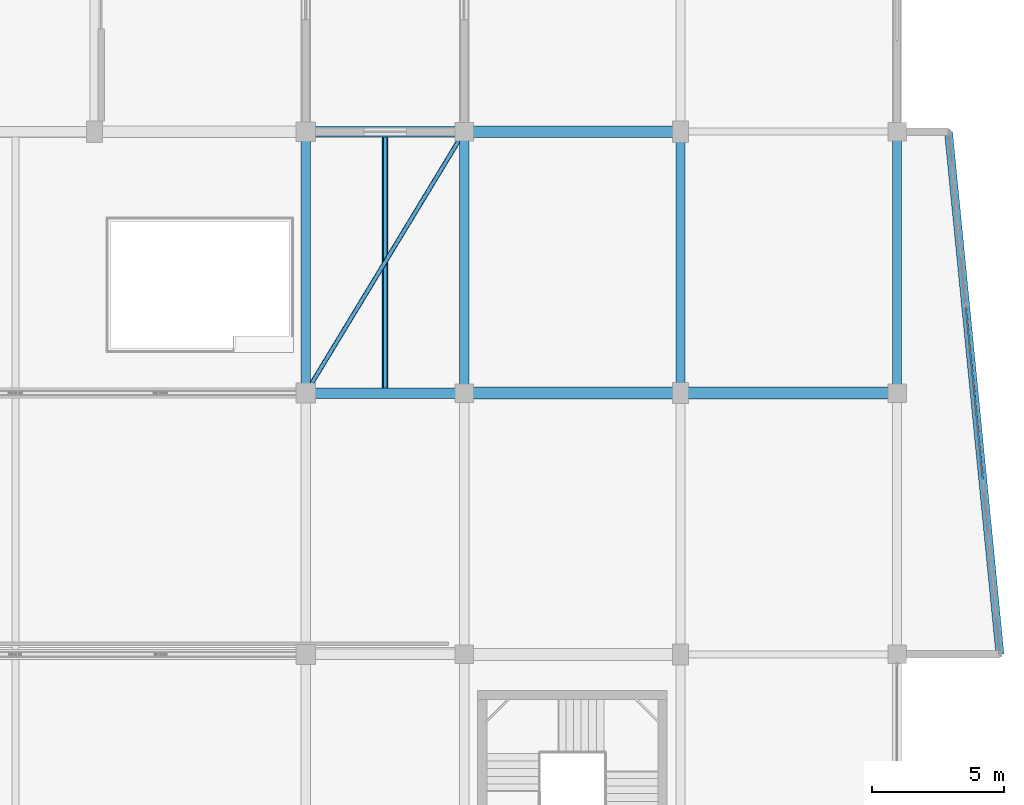
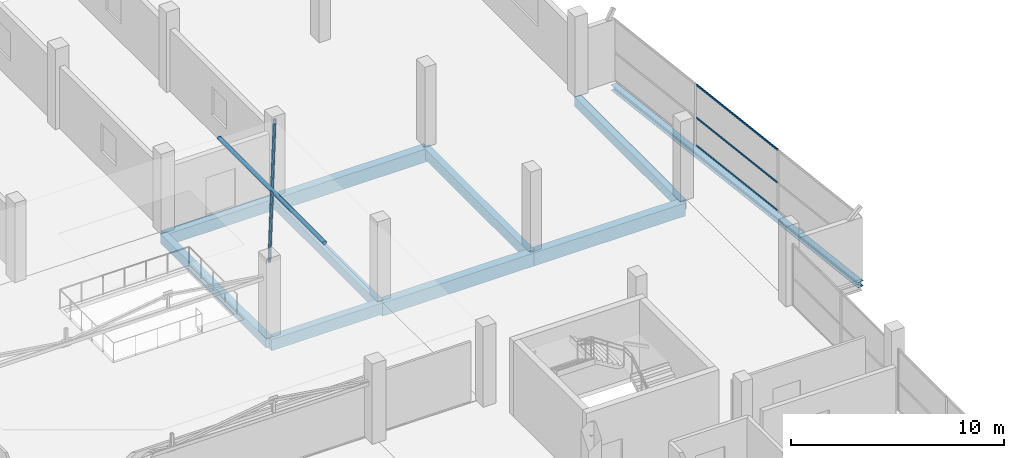
# One storey, part 28 of 55: 10 beams, 5 members, 1 element without a shape of its own.
"""IFC4 building model written with IfcOpenShell, lengths in metres."""

import ifcopenshell
import ifcopenshell.guid

model = None  # the IFC model being written
_history = None  # IfcOwnerHistory: only IFC2X3 demands one
_inside = {}  # id of a spatial element -> (the spatial element, [elements in it])
_under = {}  # id of a project, library or spatial element -> (it, [spatial elements below it])
_declared = {}  # id of a project -> (the project, [libraries it declares])
_typed = {}  # id of a type object -> (the type object, [elements of that type])
_made_of = {}  # id of a material, layer set ... -> (it, [elements and type objects made of it])


def new_model(schema):
    """Start an empty IFC model of exactly this schema.

    Asked for "IFC4X3", IfcOpenShell would pick the latest addendum, in which some entities
    have other attributes; the version numbers below select the first issue.
    IFC2X3 requires an IfcOwnerHistory on every rooted entity: one is made here for all.
    """
    global model, _history
    if schema == "IFC4X3":
        model = ifcopenshell.file(schema_version=(4, 3, 0, 0))
    else:
        model = ifcopenshell.file(schema=schema)
    _inside.clear()
    _under.clear()
    _declared.clear()
    _typed.clear()
    _made_of.clear()
    _history = None
    if model.schema == "IFC2X3":
        org = make("IfcOrganization", Name="unknown")
        user = make(
            "IfcPersonAndOrganization",
            ThePerson=make("IfcPerson", FamilyName="unknown"),
            TheOrganization=org,
        )
        app = make(
            "IfcApplication",
            ApplicationDeveloper=org,
            Version="unknown",
            ApplicationFullName="unknown",
            ApplicationIdentifier="unknown",
        )
        _history = make(
            "IfcOwnerHistory",
            OwningUser=user,
            OwningApplication=app,
            ChangeAction="ADDED",
            CreationDate=0,
        )
    return model


def make(cls, **values):
    """One entity of the class cls with the attributes given. An attribute that is None is left unset."""
    return model.create_entity(
        cls, **{name: value for name, value in values.items() if value is not None}
    )


def rooted(cls, **values):
    """An entity with a GlobalId (a new one), such as an element, a storey or a relation."""
    return make(cls, GlobalId=ifcopenshell.guid.new(), OwnerHistory=_history, **values)


def si_unit(unit_type, name, prefix=None):
    """IfcSIUnit, for example si_unit("LENGTHUNIT", "METRE", prefix="MILLI")."""
    return make("IfcSIUnit", UnitType=unit_type, Prefix=prefix, Name=name)


def assignment(units):
    """IfcUnitAssignment: the units of a project."""
    return None if units is None else make("IfcUnitAssignment", Units=units)


def point(xyz):
    """IfcCartesianPoint."""
    return None if xyz is None else make("IfcCartesianPoint", Coordinates=xyz)


def direction(xyz):
    """IfcDirection."""
    return None if xyz is None else make("IfcDirection", DirectionRatios=xyz)


def frame(location, z_axis=None, x_axis=None):
    """IfcAxis2Placement3D, a coordinate frame: its origin and axes. An axis left out is left unset."""
    return make(
        "IfcAxis2Placement3D",
        Location=point(location),
        Axis=direction(z_axis),
        RefDirection=direction(x_axis),
    )


def frame_2d(location, x_axis=None):
    """IfcAxis2Placement2D, a coordinate frame in the plane: its origin and x axis."""
    return make(
        "IfcAxis2Placement2D", Location=point(location), RefDirection=direction(x_axis)
    )


def origin():
    """The frame at (0, 0, 0) with its axes left unset."""
    return frame((0.0, 0.0, 0.0))


def origin_2d():
    """The frame at (0, 0) in the plane with its x axis left unset."""
    return frame_2d((0.0, 0.0))


def place(relative_to, where):
    """IfcLocalPlacement: puts the frame where relative to a parent placement (None: the world)."""
    return make(
        "IfcLocalPlacement", PlacementRelTo=relative_to, RelativePlacement=where
    )


def context(
    kind, dimensions, precision=None, world=None, true_north=None, identifier=None
):
    """IfcGeometricRepresentationContext, for example the 3D "Model" context."""
    return make(
        "IfcGeometricRepresentationContext",
        ContextIdentifier=identifier,
        ContextType=kind,
        CoordinateSpaceDimension=dimensions,
        Precision=precision,
        WorldCoordinateSystem=world,
        TrueNorth=true_north,
    )


def subcontext(parent, identifier, kind, view, scale=None):
    """IfcGeometricRepresentationSubContext, for example "Body" below "Model"."""
    return make(
        "IfcGeometricRepresentationSubContext",
        ContextIdentifier=identifier,
        ContextType=kind,
        ParentContext=parent,
        TargetScale=scale,
        TargetView=view,
    )


def project(units=None, contexts=None):
    """IfcProject with its units and contexts."""
    return rooted(
        "IfcProject",
        Name="project",
        RepresentationContexts=contexts,
        UnitsInContext=assignment(units),
    )


def spatial(cls, under=None, at=None, **own):
    """A site, building, storey or space (cls), placed at a placement, below another one or the project."""
    s = rooted(cls, ObjectPlacement=at, **own)
    if under is not None:
        _under.setdefault(under.id(), (under, []))[1].append(s)
    return s


def profile(cls, at=None, kind="AREA", **sizes):
    """A parametric profile (cls). Its sizes go by their IFC names, for example OverallWidth=200.0."""
    return make(cls, ProfileType=kind, Position=at, **sizes)


def rectangle(**sizes):
    """IfcRectangleProfileDef."""
    return profile("IfcRectangleProfileDef", **sizes)


def hollow_rectangle(**sizes):
    """IfcRectangleHollowProfileDef."""
    return profile("IfcRectangleHollowProfileDef", **sizes)


def hollow_circle(**sizes):
    """IfcCircleHollowProfileDef."""
    return profile("IfcCircleHollowProfileDef", **sizes)


def i_section(**sizes):
    """IfcIShapeProfileDef."""
    return profile("IfcIShapeProfileDef", **sizes)


def extrude(swept, where, along, depth):
    """IfcExtrudedAreaSolid: the profile swept, set in the frame where, extruded along a direction by depth."""
    return make(
        "IfcExtrudedAreaSolid",
        SweptArea=swept,
        Position=where,
        ExtrudedDirection=direction(along),
        Depth=depth,
    )


def shape(context_of_items, identifier, shape_type, items):
    """IfcShapeRepresentation: the items that make up one representation, for example the "Body"."""
    return make(
        "IfcShapeRepresentation",
        ContextOfItems=context_of_items,
        RepresentationIdentifier=identifier,
        RepresentationType=shape_type,
        Items=items,
    )


def material(Name=None, Category=None):
    """IfcMaterial."""
    return make("IfcMaterial", Name=Name, Category=Category)


def layer(
    of_material, thickness, ventilated=None, Name=None, Category=None, Priority=None
):
    """IfcMaterialLayer: one layer of a wall or slab, of a material (None: an air gap)."""
    return make(
        "IfcMaterialLayer",
        Material=of_material,
        LayerThickness=thickness,
        IsVentilated=ventilated,
        Name=Name,
        Category=Category,
        Priority=Priority,
    )


def layer_set(layers, Name=None):
    """IfcMaterialLayerSet."""
    return make("IfcMaterialLayerSet", MaterialLayers=layers, LayerSetName=Name)


def material_profile(
    of_material, cross_section, Name=None, Category=None, Priority=None
):
    """IfcMaterialProfile: a cross section and its material."""
    return make(
        "IfcMaterialProfile",
        Name=Name,
        Material=of_material,
        Profile=cross_section,
        Priority=Priority,
        Category=Category,
    )


def profile_set(profiles, Name=None, composite=None):
    """IfcMaterialProfileSet."""
    return make(
        "IfcMaterialProfileSet",
        Name=Name,
        MaterialProfiles=profiles,
        CompositeProfile=composite,
    )


def made_of(thing, what):
    """Note that an element or type object is made of a material, layer set ...; save() writes the relation."""
    if what is not None:
        _made_of.setdefault(what.id(), (what, []))[1].append(thing)
    return thing


def type_object(cls, material=None, **own):
    """A type object (cls), such as IfcWallType, which elements share."""
    return made_of(rooted(cls, **own), material)


def element(
    cls,
    number,
    at=None,
    inside=None,
    cuts=None,
    type_object=None,
    material=None,
    context=None,
    identifier="Body",
    shape_type=None,
    held_by="IfcProductDefinitionShape",
    body=None,
    shapes=None,
    **own,
):
    """One element of the class cls, such as IfcWall. Its Tag is "e" and its number.

    at: its placement. inside: the storey or other place that contains it. cuts: it is an
    opening in that element (IfcRelVoidsElement). A single representation is given by context,
    identifier, shape_type and body (its items); several are given by shapes. held_by: the class
    of the entity that holds the representations. save() writes the other relations.
    """
    e = rooted(cls, Tag="e%d" % number, ObjectPlacement=at, **own)
    if body is not None:
        shapes = [shape(context, identifier, shape_type, body)]
    if shapes is not None:
        e.Representation = make(held_by, Representations=shapes)
    if inside is not None:
        _inside.setdefault(inside.id(), (inside, []))[1].append(e)
    if cuts is not None:
        rooted(
            "IfcRelVoidsElement", RelatingBuildingElement=cuts, RelatedOpeningElement=e
        )
    if type_object is not None:
        _typed.setdefault(type_object.id(), (type_object, []))[1].append(e)
    return made_of(e, material)


def aggregate(whole, parts):
    """IfcRelAggregates: a whole, such as a stair, and the parts it consists of."""
    return rooted("IfcRelAggregates", RelatingObject=whole, RelatedObjects=parts)


def save(model, path):
    """Write the relations noted so far, then the file.

    IfcRelAggregates (storeys below a building ...), IfcRelContainedInSpatialStructure (elements
    in a storey), IfcRelDefinesByType, IfcRelAssociatesMaterial and IfcRelDeclares: one each for
    every whole, place, type object, material and project.
    """
    for whole, parts in _under.values():
        aggregate(whole, parts)
    for where, things in _inside.values():
        rooted(
            "IfcRelContainedInSpatialStructure",
            RelatedElements=things,
            RelatingStructure=where,
        )
    for kind, things in _typed.values():
        rooted("IfcRelDefinesByType", RelatedObjects=things, RelatingType=kind)
    for what, things in _made_of.values():
        rooted("IfcRelAssociatesMaterial", RelatedObjects=things, RelatingMaterial=what)
    for by, libraries in _declared.values():
        rooted("IfcRelDeclares", RelatingContext=by, RelatedDefinitions=libraries)
    model.write(path)


model = new_model("IFC4")

# Units and contexts
model_context = context("Model", 3, precision=1e-05, world=origin(), true_north=direction((0.0, 1.0)))
body_context = subcontext(model_context, "Body", "Model", "MODEL_VIEW")
ifc_project = project(units=[si_unit("LENGTHUNIT", "METRE"), si_unit("AREAUNIT", "SQUARE_METRE"), si_unit("VOLUMEUNIT", "CUBIC_METRE"), si_unit("PLANEANGLEUNIT", "RADIAN"), si_unit("MASSUNIT", "GRAM", prefix="KILO")], contexts=[model_context])

# Site, building, storey
site_placement = place(None, origin())
site = spatial("IfcSite", under=ifc_project, at=site_placement, CompositionType="ELEMENT")
building_placement = place(site_placement, origin())
building = spatial("IfcBuilding", under=site, at=building_placement, Name="Sillaruma Civic Art Gallery", CompositionType="ELEMENT")
storey_placement = place(building_placement, frame((0.0, 0.0, 37.739990234375)))
storey = spatial("IfcBuildingStorey", under=building, at=storey_placement, Name="L07", CompositionType="ELEMENT", Elevation=37.739990234375)

# Beams
ifc_material_1 = material(Name="Concrete H35 (35 MPa)", Category="concrete")
ifc_material_profile_1 = material_profile(ifc_material_1, rectangle(XDim=0.35009765625, YDim=0.60009765625, at=origin_2d()), Name="RCB350x600")
ifc_profile_set_1 = profile_set([ifc_material_profile_1], Name="Concrete H35 (35 MPa)")
beam_type_1 = type_object("IfcBeamType", Name="BM-BEAM-RCB350x600", PredefinedType="BEAM", material=ifc_profile_set_1)
beam_1_placement = place(storey_placement, frame((106.199951171875, 69.300048828125, -0.5400390625), z_axis=(0.0, 1.0, 0.0), x_axis=(-1.0, 0.0, 0.0)))
element("IfcBeam", 1, at=beam_1_placement, inside=storey, type_object=beam_type_1, Name="Beam BM-06 (L06:M:8-9)", PredefinedType="BEAM", context=body_context, shape_type="SweptSolid", body=[
    extrude(rectangle(XDim=0.35009765625, YDim=0.60009765625, at=origin_2d()), origin(), (0.0, 0.0, 1.0), 9.89990234375),
])
ifc_material_profile_2 = material_profile(ifc_material_1, rectangle(XDim=0.39990234375, YDim=0.64990234375, at=origin_2d()), Name="RCB400x650")
ifc_profile_set_2 = profile_set([ifc_material_profile_2], Name="Concrete H35 (35 MPa)")
beam_type_2 = type_object("IfcBeamType", Name="BM-BEAM-RCB400x650", PredefinedType="BEAM", material=ifc_profile_set_2)
for number, where, z_axis, x_axis, name in (
    (2, (92.0, 69.300048828125, -0.56494140625), (1.0, 0.0, 0.0), (0.0, 1.0, 0.0), "Beam BM-05 (L06:8:K-L)"),
    (3, (92.0, 79.199951171875, -0.56494140625), (1.0, 0.0, 0.0), (0.0, 1.0, 0.0), "Beam BM-05 (L06:9:K-L)"),
):
    element("IfcBeam", number, at=place(storey_placement, frame(where, z_axis=z_axis, x_axis=x_axis)), inside=storey, type_object=beam_type_2, Name=name, PredefinedType="BEAM", context=body_context, shape_type="SweptSolid", body=[
        extrude(rectangle(XDim=0.39990234375, YDim=0.64990234375, at=origin_2d()), origin(), (0.0, 0.0, 1.0), 6.0),
    ])
ifc_material_2 = material(Name="Concrete H40 (40 MPa)", Category="concrete")
ifc_material_profile_3 = material_profile(ifc_material_2, rectangle(XDim=0.449951171875, YDim=0.75, at=origin_2d()), Name="RCB450x750")
ifc_profile_set_3 = profile_set([ifc_material_profile_3], Name="Concrete H40 (40 MPa)")
beam_type_3 = type_object("IfcBeamType", Name="BM-BEAM-RCB450x750", PredefinedType="BEAM", material=ifc_profile_set_3)
for number, where, z_axis, x_axis, name in (
    (4, (98.0, 69.300048828125, -0.614990234375), (1.0, 0.0, 0.0), (0.0, 1.0, 0.0), "Beam BM-03 (L06:8:L-M)"),
    (5, (106.199951171875, 69.300048828125, -0.614990234375), (1.0, 0.0, 0.0), (0.0, 1.0, 0.0), "Beam BM-03 (L06:8:M-N)"),
    (6, (98.0, 79.199951171875, -0.614990234375), (1.0, 0.0, 0.0), (0.0, 1.0, 0.0), "Beam BM-03 (L06:9:L-M)"),
):
    element("IfcBeam", number, at=place(storey_placement, frame(where, z_axis=z_axis, x_axis=x_axis)), inside=storey, type_object=beam_type_3, Name=name, PredefinedType="BEAM", context=body_context, shape_type="SweptSolid", body=[
        extrude(rectangle(XDim=0.449951171875, YDim=0.75, at=origin_2d()), origin(), (0.0, 0.0, 1.0), 8.199951171875),
    ])
ifc_material_3 = material(Name="Structural Steel ASTM A992 Gr.50", Category="steel")
ifc_material_profile_4 = material_profile(ifc_material_3, i_section(OverallWidth=0.305908203125, OverallDepth=0.31103515625, WebThickness=0.010986328125, FlangeThickness=0.01708984375, FilletRadius=0.014892578125, at=origin_2d()), Name="W310x107")
ifc_profile_set_4 = profile_set([ifc_material_profile_4], Name="Structural Steel ASTM A992 Gr.50")
beam_type_4 = type_object("IfcBeamType", Name="BM-PROW-W310x107", PredefinedType="SPANDREL", material=ifc_profile_set_4)
beam_2_placement = place(storey_placement, frame((118.300048828125, 59.39990234375, -0.3955078125), z_axis=(-0.098008009694, 0.995185625919, 0.0), x_axis=(-0.995185625919, -0.098008009694, 0.0)))
element("IfcBeam", 7, at=beam_2_placement, inside=storey, type_object=beam_type_4, Name="Angled Prow Edge Spandrel (PRW-L07-E-FLR)", PredefinedType="SPANDREL", context=body_context, shape_type="SweptSolid", body=[
    extrude(i_section(OverallWidth=0.305908203125, OverallDepth=0.31103515625, WebThickness=0.010986328125, FlangeThickness=0.01708984375, FilletRadius=0.014892578125, at=origin_2d()), origin(), (0.0, 0.0, 1.0), 19.895751953125),
])
ifc_material_profile_5 = material_profile(ifc_material_1, rectangle(XDim=0.35009765625, YDim=0.550048828125, at=origin_2d()), Name="RCB350x550")
ifc_profile_set_5 = profile_set([ifc_material_profile_5], Name="Concrete H35 (35 MPa)")
beam_type_5 = type_object("IfcBeamType", Name="BM-SPANDREL-RCB350x550", PredefinedType="SPANDREL", material=ifc_profile_set_5)
for number, where, z_axis, x_axis, name in (
    (8, (92.0, 69.300048828125, -0.514892578125), (0.0, 1.0, 0.0), (-1.0, 0.0, 0.0), "Beam BS-04 (L06:K:8-9)"),
    (9, (98.0, 69.300048828125, -0.514892578125), (0.0, 1.0, 0.0), (-1.0, 0.0, 0.0), "Beam BS-04 (L06:L:8-9)"),
    (10, (114.39990234375, 69.300048828125, -0.514892578125), (0.0, 1.0, 0.0), (-1.0, 0.0, 0.0), "Beam BS-04 (L06:N:8-9)"),
):
    element("IfcBeam", number, at=place(storey_placement, frame(where, z_axis=z_axis, x_axis=x_axis)), inside=storey, type_object=beam_type_5, Name=name, PredefinedType="SPANDREL", context=body_context, shape_type="SweptSolid", body=[
        extrude(rectangle(XDim=0.35009765625, YDim=0.550048828125, at=origin_2d()), origin(), (0.0, 0.0, 1.0), 9.89990234375),
    ])

# Members
ifc_material_4 = material(Name="Structural Steel ASTM A500 Gr.C", Category="steel")
ifc_material_profile_6 = material_profile(ifc_material_4, hollow_circle(Radius=0.084228515625, WallThickness=0.007080078125, at=origin_2d()), Name="CHS168.3x7.1")
ifc_profile_set_6 = profile_set([ifc_material_profile_6], Name="Structural Steel ASTM A500 Gr.C")
member_type_1 = type_object("IfcMemberType", Name="MEM-BRIDGE-BRACE", PredefinedType="BRACE", material=ifc_profile_set_6)
member_1_placement = place(storey_placement, frame((92.0, 69.300048828125, 4.132080078125), z_axis=(0.518305455332, 0.855195565337, 0.0), x_axis=(-0.855195565337, 0.518305455332, 0.0)))
element("IfcMember", 11, at=member_1_placement, inside=storey, type_object=member_type_1, Name="Sky-Bridge Diagonal Plan Brace (BRG-N:L08)", PredefinedType="BRACE", context=body_context, shape_type="SweptSolid", body=[
    extrude(hollow_circle(Radius=0.084228515625, WallThickness=0.007080078125, at=origin_2d()), origin(), (0.0, 0.0, 1.0), 11.576171875),
])
ifc_material_profile_7 = material_profile(ifc_material_4, hollow_circle(Radius=0.109619140625, WallThickness=0.00830078125, at=origin_2d()), Name="CHS219.1x8.2")
ifc_profile_set_7 = profile_set([ifc_material_profile_7], Name="Structural Steel ASTM A500 Gr.C")
member_type_2 = type_object("IfcMemberType", Name="MEM-BRIDGE-STRUT", PredefinedType="STRUT", material=ifc_profile_set_7)
member_2_placement = place(storey_placement, frame((95.0, 69.300048828125, 4.132080078125), z_axis=(0.0, 1.0, 0.0), x_axis=(-1.0, 0.0, 0.0)))
element("IfcMember", 12, at=member_2_placement, inside=storey, type_object=member_type_2, Name="Sky-Bridge Transverse Strut (BRG-N:L08)", PredefinedType="STRUT", context=body_context, shape_type="SweptSolid", body=[
    extrude(hollow_circle(Radius=0.109619140625, WallThickness=0.00830078125, at=origin_2d()), origin(), (0.0, 0.0, 1.0), 9.89990234375),
])

# Curtain wall, members
ifc_material_5 = material(Name="Thermally Broken Extruded Aluminium 6063-T6", Category="aluminium")
ifc_layer = layer(ifc_material_5, 0.159912109375, Name="Thermally Broken Extruded Aluminium 6063-T6")
ifc_layer_set = layer_set([ifc_layer], Name="Thermally Broken Extruded Aluminium 6063-T6")
curtain_wall_type = type_object("IfcCurtainWallType", Name="CW-UNI-49", PredefinedType="NOTDEFINED", material=ifc_layer_set)
curtain_wall_placement = place(storey_placement, origin())
curtain_wall = element("IfcCurtainWall", 13, at=curtain_wall_placement, inside=storey, type_object=curtain_wall_type, Name="Unitised Curtain Wall CW-49 (CW-PRW-L07-E-ANG)", PredefinedType="NOTDEFINED")
ifc_material_profile_8 = material_profile(ifc_material_5, hollow_rectangle(XDim=0.06005859375, YDim=0.10009765625, WallThickness=0.003173828125, at=origin_2d()), Name="CWT60x100")
ifc_profile_set_8 = profile_set([ifc_material_profile_8], Name="Thermally Broken Extruded Aluminium 6063-T6")
member_type_3 = type_object("IfcMemberType", Name="MEM-TRN-CWT60x100", PredefinedType="USERDEFINED", material=ifc_profile_set_8)
member_3_placement = place(storey_placement, frame((117.646728515625, 66.0322265625, 0.030029296875), z_axis=(-0.097998127506, 0.995186599089, 0.0), x_axis=(-0.995186599089, -0.097998127506, 0.0)))
member_3 = element("IfcMember", 14, at=member_3_placement, type_object=member_type_3, Name="CW-49 transom 2.1", ObjectType="TRANSOM", PredefinedType="USERDEFINED", context=body_context, shape_type="SweptSolid", body=[
    extrude(hollow_rectangle(XDim=0.06005859375, YDim=0.10009765625, WallThickness=0.003173828125, at=origin_2d()), origin(), (0.0, 0.0, 1.0), 6.56689453125),
])
member_4_placement = place(storey_placement, frame((117.646728515625, 66.0322265625, 1.623779296875), z_axis=(-0.097998127506, 0.995186599089, 0.0), x_axis=(-0.995186599089, -0.097998127506, 0.0)))
member_4 = element("IfcMember", 15, at=member_4_placement, type_object=member_type_3, Name="CW-49 transom 2.2", ObjectType="TRANSOM", PredefinedType="USERDEFINED", context=body_context, shape_type="SweptSolid", body=[
    extrude(hollow_rectangle(XDim=0.06005859375, YDim=0.10009765625, WallThickness=0.003173828125, at=origin_2d()), origin(), (0.0, 0.0, 1.0), 6.56689453125),
])
member_5_placement = place(storey_placement, frame((117.646728515625, 66.0322265625, 3.5), z_axis=(-0.097998127506, 0.995186599089, 0.0), x_axis=(-0.995186599089, -0.097998127506, 0.0)))
member_5 = element("IfcMember", 16, at=member_5_placement, type_object=member_type_3, Name="CW-49 transom 2.3", ObjectType="TRANSOM", PredefinedType="USERDEFINED", context=body_context, shape_type="SweptSolid", body=[
    extrude(hollow_rectangle(XDim=0.06005859375, YDim=0.10009765625, WallThickness=0.003173828125, at=origin_2d()), origin(), (0.0, 0.0, 1.0), 6.56689453125),
])
aggregate(curtain_wall, [member_3, member_4, member_5])

save(model, "model.ifc")
